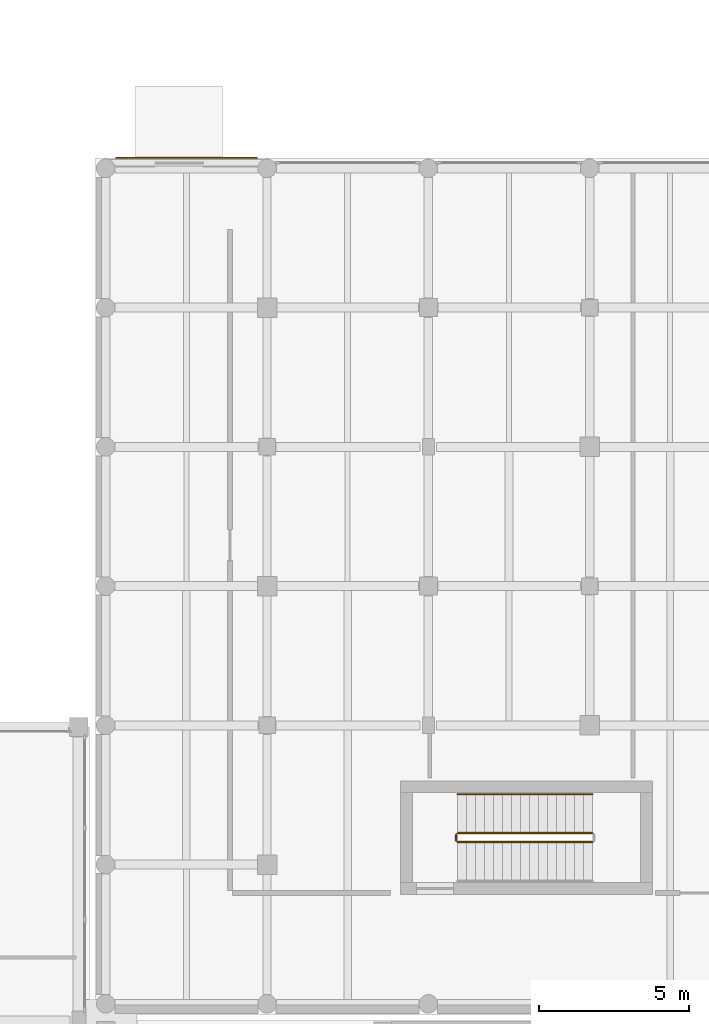
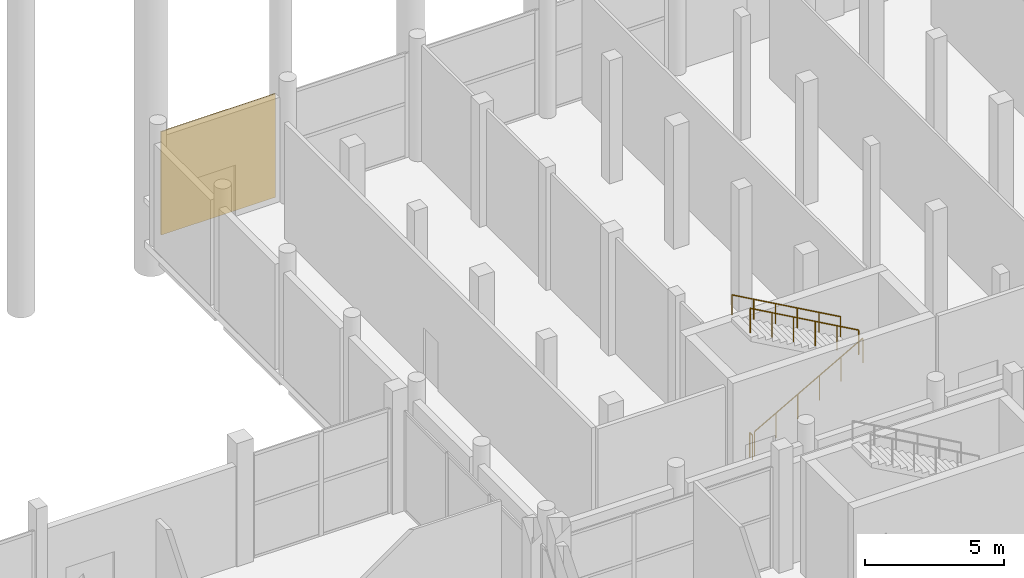
# One storey, part 78 of 88: 4 railings, 1 covering.
"""IFC4 building model written with IfcOpenShell, lengths in metres."""

import ifcopenshell
import ifcopenshell.guid

model = None  # the IFC model being written
_history = None  # IfcOwnerHistory: only IFC2X3 demands one
_inside = {}  # id of a spatial element -> (the spatial element, [elements in it])
_under = {}  # id of a project, library or spatial element -> (it, [spatial elements below it])
_declared = {}  # id of a project -> (the project, [libraries it declares])
_typed = {}  # id of a type object -> (the type object, [elements of that type])
_made_of = {}  # id of a material, layer set ... -> (it, [elements and type objects made of it])


def new_model(schema):
    """Start an empty IFC model of exactly this schema.

    Asked for "IFC4X3", IfcOpenShell would pick the latest addendum, in which some entities
    have other attributes; the version numbers below select the first issue.
    IFC2X3 requires an IfcOwnerHistory on every rooted entity: one is made here for all.
    """
    global model, _history
    if schema == "IFC4X3":
        model = ifcopenshell.file(schema_version=(4, 3, 0, 0))
    else:
        model = ifcopenshell.file(schema=schema)
    _inside.clear()
    _under.clear()
    _declared.clear()
    _typed.clear()
    _made_of.clear()
    _history = None
    if model.schema == "IFC2X3":
        org = make("IfcOrganization", Name="unknown")
        user = make(
            "IfcPersonAndOrganization",
            ThePerson=make("IfcPerson", FamilyName="unknown"),
            TheOrganization=org,
        )
        app = make(
            "IfcApplication",
            ApplicationDeveloper=org,
            Version="unknown",
            ApplicationFullName="unknown",
            ApplicationIdentifier="unknown",
        )
        _history = make(
            "IfcOwnerHistory",
            OwningUser=user,
            OwningApplication=app,
            ChangeAction="ADDED",
            CreationDate=0,
        )
    return model


def make(cls, **values):
    """One entity of the class cls with the attributes given. An attribute that is None is left unset."""
    return model.create_entity(
        cls, **{name: value for name, value in values.items() if value is not None}
    )


def rooted(cls, **values):
    """An entity with a GlobalId (a new one), such as an element, a storey or a relation."""
    return make(cls, GlobalId=ifcopenshell.guid.new(), OwnerHistory=_history, **values)


def si_unit(unit_type, name, prefix=None):
    """IfcSIUnit, for example si_unit("LENGTHUNIT", "METRE", prefix="MILLI")."""
    return make("IfcSIUnit", UnitType=unit_type, Prefix=prefix, Name=name)


def assignment(units):
    """IfcUnitAssignment: the units of a project."""
    return None if units is None else make("IfcUnitAssignment", Units=units)


def point(xyz):
    """IfcCartesianPoint."""
    return None if xyz is None else make("IfcCartesianPoint", Coordinates=xyz)


def direction(xyz):
    """IfcDirection."""
    return None if xyz is None else make("IfcDirection", DirectionRatios=xyz)


def frame(location, z_axis=None, x_axis=None):
    """IfcAxis2Placement3D, a coordinate frame: its origin and axes. An axis left out is left unset."""
    return make(
        "IfcAxis2Placement3D",
        Location=point(location),
        Axis=direction(z_axis),
        RefDirection=direction(x_axis),
    )


def frame_2d(location, x_axis=None):
    """IfcAxis2Placement2D, a coordinate frame in the plane: its origin and x axis."""
    return make(
        "IfcAxis2Placement2D", Location=point(location), RefDirection=direction(x_axis)
    )


def origin():
    """The frame at (0, 0, 0) with its axes left unset."""
    return frame((0.0, 0.0, 0.0))


def origin_2d():
    """The frame at (0, 0) in the plane with its x axis left unset."""
    return frame_2d((0.0, 0.0))


def place(relative_to, where):
    """IfcLocalPlacement: puts the frame where relative to a parent placement (None: the world)."""
    return make(
        "IfcLocalPlacement", PlacementRelTo=relative_to, RelativePlacement=where
    )


def context(
    kind, dimensions, precision=None, world=None, true_north=None, identifier=None
):
    """IfcGeometricRepresentationContext, for example the 3D "Model" context."""
    return make(
        "IfcGeometricRepresentationContext",
        ContextIdentifier=identifier,
        ContextType=kind,
        CoordinateSpaceDimension=dimensions,
        Precision=precision,
        WorldCoordinateSystem=world,
        TrueNorth=true_north,
    )


def subcontext(parent, identifier, kind, view, scale=None):
    """IfcGeometricRepresentationSubContext, for example "Body" below "Model"."""
    return make(
        "IfcGeometricRepresentationSubContext",
        ContextIdentifier=identifier,
        ContextType=kind,
        ParentContext=parent,
        TargetScale=scale,
        TargetView=view,
    )


def project(units=None, contexts=None):
    """IfcProject with its units and contexts."""
    return rooted(
        "IfcProject",
        Name="project",
        RepresentationContexts=contexts,
        UnitsInContext=assignment(units),
    )


def spatial(cls, under=None, at=None, **own):
    """A site, building, storey or space (cls), placed at a placement, below another one or the project."""
    s = rooted(cls, ObjectPlacement=at, **own)
    if under is not None:
        _under.setdefault(under.id(), (under, []))[1].append(s)
    return s


def profile(cls, at=None, kind="AREA", **sizes):
    """A parametric profile (cls). Its sizes go by their IFC names, for example OverallWidth=200.0."""
    return make(cls, ProfileType=kind, Position=at, **sizes)


def rectangle(**sizes):
    """IfcRectangleProfileDef."""
    return profile("IfcRectangleProfileDef", **sizes)


def circle(**sizes):
    """IfcCircleProfileDef."""
    return profile("IfcCircleProfileDef", **sizes)


def extrude(swept, where, along, depth):
    """IfcExtrudedAreaSolid: the profile swept, set in the frame where, extruded along a direction by depth."""
    return make(
        "IfcExtrudedAreaSolid",
        SweptArea=swept,
        Position=where,
        ExtrudedDirection=direction(along),
        Depth=depth,
    )


def shape(context_of_items, identifier, shape_type, items):
    """IfcShapeRepresentation: the items that make up one representation, for example the "Body"."""
    return make(
        "IfcShapeRepresentation",
        ContextOfItems=context_of_items,
        RepresentationIdentifier=identifier,
        RepresentationType=shape_type,
        Items=items,
    )


def material(Name=None, Category=None):
    """IfcMaterial."""
    return make("IfcMaterial", Name=Name, Category=Category)


def layer(
    of_material, thickness, ventilated=None, Name=None, Category=None, Priority=None
):
    """IfcMaterialLayer: one layer of a wall or slab, of a material (None: an air gap)."""
    return make(
        "IfcMaterialLayer",
        Material=of_material,
        LayerThickness=thickness,
        IsVentilated=ventilated,
        Name=Name,
        Category=Category,
        Priority=Priority,
    )


def layer_set(layers, Name=None):
    """IfcMaterialLayerSet."""
    return make("IfcMaterialLayerSet", MaterialLayers=layers, LayerSetName=Name)


def made_of(thing, what):
    """Note that an element or type object is made of a material, layer set ...; save() writes the relation."""
    if what is not None:
        _made_of.setdefault(what.id(), (what, []))[1].append(thing)
    return thing


def type_object(cls, material=None, **own):
    """A type object (cls), such as IfcWallType, which elements share."""
    return made_of(rooted(cls, **own), material)


def element(
    cls,
    number,
    at=None,
    inside=None,
    cuts=None,
    type_object=None,
    material=None,
    context=None,
    identifier="Body",
    shape_type=None,
    held_by="IfcProductDefinitionShape",
    body=None,
    shapes=None,
    **own,
):
    """One element of the class cls, such as IfcWall. Its Tag is "e" and its number.

    at: its placement. inside: the storey or other place that contains it. cuts: it is an
    opening in that element (IfcRelVoidsElement). A single representation is given by context,
    identifier, shape_type and body (its items); several are given by shapes. held_by: the class
    of the entity that holds the representations. save() writes the other relations.
    """
    e = rooted(cls, Tag="e%d" % number, ObjectPlacement=at, **own)
    if body is not None:
        shapes = [shape(context, identifier, shape_type, body)]
    if shapes is not None:
        e.Representation = make(held_by, Representations=shapes)
    if inside is not None:
        _inside.setdefault(inside.id(), (inside, []))[1].append(e)
    if cuts is not None:
        rooted(
            "IfcRelVoidsElement", RelatingBuildingElement=cuts, RelatedOpeningElement=e
        )
    if type_object is not None:
        _typed.setdefault(type_object.id(), (type_object, []))[1].append(e)
    return made_of(e, material)


def aggregate(whole, parts):
    """IfcRelAggregates: a whole, such as a stair, and the parts it consists of."""
    return rooted("IfcRelAggregates", RelatingObject=whole, RelatedObjects=parts)


def save(model, path):
    """Write the relations noted so far, then the file.

    IfcRelAggregates (storeys below a building ...), IfcRelContainedInSpatialStructure (elements
    in a storey), IfcRelDefinesByType, IfcRelAssociatesMaterial and IfcRelDeclares: one each for
    every whole, place, type object, material and project.
    """
    for whole, parts in _under.values():
        aggregate(whole, parts)
    for where, things in _inside.values():
        rooted(
            "IfcRelContainedInSpatialStructure",
            RelatedElements=things,
            RelatingStructure=where,
        )
    for kind, things in _typed.values():
        rooted("IfcRelDefinesByType", RelatedObjects=things, RelatingType=kind)
    for what, things in _made_of.values():
        rooted("IfcRelAssociatesMaterial", RelatedObjects=things, RelatingMaterial=what)
    for by, libraries in _declared.values():
        rooted("IfcRelDeclares", RelatingContext=by, RelatedDefinitions=libraries)
    model.write(path)


model = new_model("IFC4")

# Units and contexts
model_context = context("Model", 3, precision=1e-05, world=origin(), true_north=direction((0.0, 1.0)))
body_context = subcontext(model_context, "Body", "Model", "MODEL_VIEW")
ifc_project = project(units=[si_unit("LENGTHUNIT", "METRE"), si_unit("AREAUNIT", "SQUARE_METRE"), si_unit("VOLUMEUNIT", "CUBIC_METRE"), si_unit("PLANEANGLEUNIT", "RADIAN"), si_unit("MASSUNIT", "GRAM", prefix="KILO")], contexts=[model_context])

# Site, building, storey
site_placement = place(None, origin())
site = spatial("IfcSite", under=ifc_project, at=site_placement, CompositionType="ELEMENT")
building_placement = place(site_placement, origin())
building = spatial("IfcBuilding", under=site, at=building_placement, Name="Birchvale Park Specialist Clinic", CompositionType="ELEMENT")
storey_placement = place(building_placement, origin())
storey = spatial("IfcBuildingStorey", under=building, at=storey_placement, Name="L00", CompositionType="ELEMENT", Elevation=0.0)

# Covering
ifc_material_1 = material(Name="Nordic larch vertical rainscreen cladding")
ifc_layer = layer(ifc_material_1, 0.044921875)
ifc_layer_set = layer_set([ifc_layer], Name="Nordic larch vertical rainscreen cladding")
covering_type = type_object("IfcCoveringType", Name="COV-CL1", PredefinedType="CLADDING", material=ifc_layer_set)
covering_placement = place(storey_placement, frame((54.8427734375, 63.402587890625, 0.02001953125), z_axis=(0.0, 0.0, 1.0), x_axis=(-1.0, 0.0, 0.0)))
element("IfcCovering", 1, at=covering_placement, inside=storey, type_object=covering_type, Name="V1 L00 Nordic larch cladding 3", PredefinedType="CLADDING", context=body_context, shape_type="SweptSolid", body=[
    extrude(rectangle(XDim=4.735595703125, YDim=0.044921875, at=origin_2d()), origin(), (0.0, 0.0, 1.0), 4.534912109375),
])

# Railings
ifc_material_2 = material(Name="Brushed stainless steel guard railing", Category="steel")
railing_type_1 = type_object("IfcRailingType", Name="RL-GRD1", PredefinedType="GUARDRAIL", material=ifc_material_2)
railing_1_placement = place(storey_placement, frame((63.89990234375, 40.550048828125, 0.168701171875)))
element("IfcRailing", 2, at=railing_1_placement, inside=storey, type_object=railing_type_1, Name="L00 ST1 stair guard 1", PredefinedType="GUARDRAIL", context=body_context, shape_type="SweptSolid", body=[
    extrude(circle(Radius=0.02392578125, at=origin_2d()), frame((0.0, 0.0, 1.076171875), z_axis=(0.871575537125, 0.0, 0.490261239633), x_axis=(0.0, 1.0, 0.0)), (0.0, 0.0, 1.0), 5.1630859375),
    extrude(circle(Radius=0.02099609375, at=origin_2d()), origin(), (0.0, 0.0, 1.0), 1.052001953125),
    extrude(circle(Radius=0.02099609375, at=origin_2d()), frame((0.89990234375, 0.0, 0.50634765625)), (0.0, 0.0, 1.0), 1.052001953125),
    extrude(circle(Radius=0.02099609375, at=origin_2d()), frame((1.800048828125, 0.0, 1.012451171875)), (0.0, 0.0, 1.0), 1.052001953125),
    extrude(circle(Radius=0.02099609375, at=origin_2d()), frame((2.699951171875, 0.0, 1.518798828125)), (0.0, 0.0, 1.0), 1.052001953125),
    extrude(circle(Radius=0.02099609375, at=origin_2d()), frame((3.60009765625, 0.0, 2.02490234375)), (0.0, 0.0, 1.0), 1.052001953125),
    extrude(circle(Radius=0.02099609375, at=origin_2d()), frame((4.5, 0.0, 2.53125)), (0.0, 0.0, 1.0), 1.052001953125),
])
railing_2_placement = place(storey_placement, frame((68.39990234375, 40.85009765625, 2.86865234375)))
element("IfcRailing", 3, at=railing_2_placement, inside=storey, type_object=railing_type_1, Name="L00 ST1 stair guard 3", PredefinedType="GUARDRAIL", context=body_context, shape_type="SweptSolid", body=[
    extrude(circle(Radius=0.02392578125, at=origin_2d()), frame((0.0, 0.0, 1.076171875), z_axis=(-0.871575537125, 0.0, 0.490261239633), x_axis=(0.0, -1.0, 0.0)), (0.0, 0.0, 1.0), 5.1630859375),
    extrude(circle(Radius=0.02099609375, at=origin_2d()), origin(), (0.0, 0.0, 1.0), 1.052001953125),
    extrude(circle(Radius=0.02099609375, at=origin_2d()), frame((-0.89990234375, 0.0, 0.50634765625)), (0.0, 0.0, 1.0), 1.052001953125),
    extrude(circle(Radius=0.02099609375, at=origin_2d()), frame((-1.800048828125, 0.0, 1.012451171875)), (0.0, 0.0, 1.0), 1.052001953125),
    extrude(circle(Radius=0.02099609375, at=origin_2d()), frame((-2.699951171875, 0.0, 1.518798828125)), (0.0, 0.0, 1.0), 1.052001953125),
    extrude(circle(Radius=0.02099609375, at=origin_2d()), frame((-3.60009765625, 0.0, 2.02490234375)), (0.0, 0.0, 1.0), 1.052001953125),
    extrude(circle(Radius=0.02099609375, at=origin_2d()), frame((-4.5, 0.0, 2.53125)), (0.0, 0.0, 1.0), 1.052001953125),
])
railing_3_placement = place(storey_placement, frame((63.85009765625, 40.60009765625, 0.0)))
element("IfcRailing", 4, at=railing_3_placement, inside=storey, type_object=railing_type_1, Name="L00 ST1 stair guard 4", PredefinedType="GUARDRAIL", context=body_context, shape_type="SweptSolid", body=[
    extrude(circle(Radius=0.02392578125, at=origin_2d()), frame((0.0, 0.0, 1.076171875), z_axis=(0.0, 1.0, 0.0), x_axis=(-1.0, 0.0, 0.0)), (0.0, 0.0, 1.0), 0.199951171875),
    extrude(circle(Radius=0.02099609375, at=origin_2d()), origin(), (0.0, 0.0, 1.0), 1.052001953125),
    extrude(circle(Radius=0.02099609375, at=origin_2d()), frame((0.0, 0.199951171875, 0.0)), (0.0, 0.0, 1.0), 1.052001953125),
])
ifc_material_3 = material(Name="Anodised aluminium handrail", Category="aluminium")
railing_type_2 = type_object("IfcRailingType", Name="RL-HND1", PredefinedType="HANDRAIL", material=ifc_material_3)
railing_4_placement = place(storey_placement, frame((68.39990234375, 42.14990234375, 2.86865234375)))
element("IfcRailing", 5, at=railing_4_placement, inside=storey, type_object=railing_type_2, Name="L00 ST1 stair handrail 2", PredefinedType="HANDRAIL", context=body_context, shape_type="SweptSolid", body=[
    extrude(circle(Radius=0.02392578125, at=origin_2d()), frame((0.0, 0.0, 0.8759765625), z_axis=(-0.871575537125, 0.0, 0.490261239633), x_axis=(0.0, -1.0, 0.0)), (0.0, 0.0, 1.0), 5.1630859375),
    extrude(circle(Radius=0.02099609375, at=origin_2d()), origin(), (0.0, 0.0, 1.0), 0.851806640625),
    extrude(circle(Radius=0.02099609375, at=origin_2d()), frame((-0.89990234375, 0.0, 0.50634765625)), (0.0, 0.0, 1.0), 0.851806640625),
    extrude(circle(Radius=0.02099609375, at=origin_2d()), frame((-1.800048828125, 0.0, 1.012451171875)), (0.0, 0.0, 1.0), 0.851806640625),
    extrude(circle(Radius=0.02099609375, at=origin_2d()), frame((-2.699951171875, 0.0, 1.518798828125)), (0.0, 0.0, 1.0), 0.851806640625),
    extrude(circle(Radius=0.02099609375, at=origin_2d()), frame((-3.60009765625, 0.0, 2.02490234375)), (0.0, 0.0, 1.0), 0.851806640625),
    extrude(circle(Radius=0.02099609375, at=origin_2d()), frame((-4.5, 0.0, 2.53125)), (0.0, 0.0, 1.0), 0.851806640625),
])

save(model, "model.ifc")
